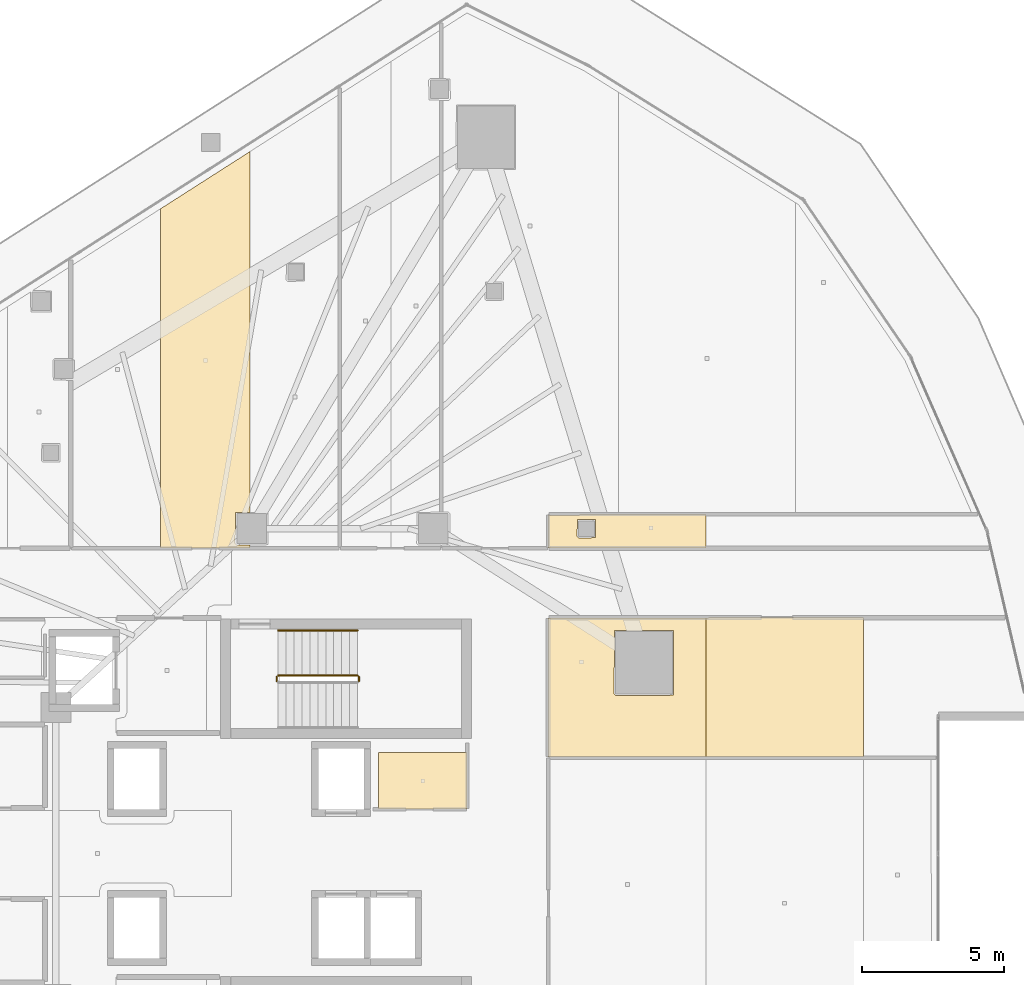
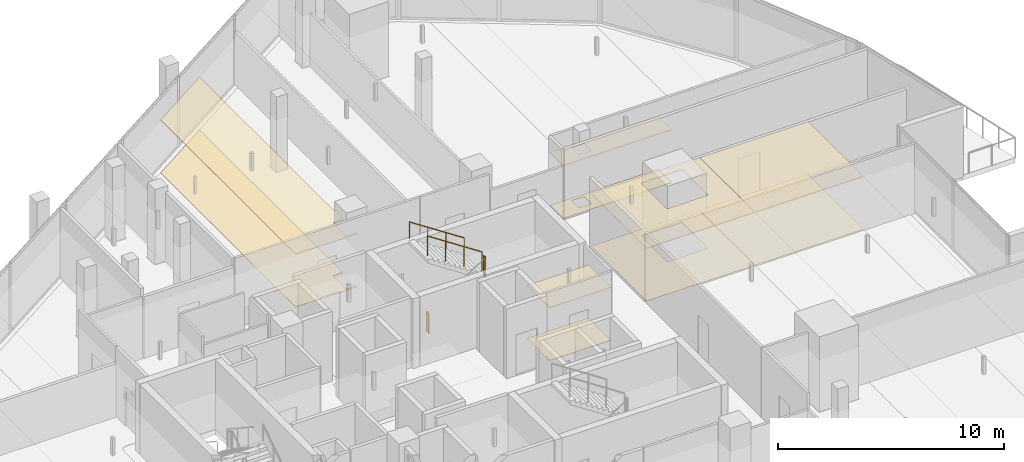
# One storey, part 37 of 38: 10 coverings, 4 railings.
"""IFC4 building model written with IfcOpenShell, lengths in metres."""

from ifc_helpers import new_model, si_unit, direction, frame, origin, origin_2d, place, context, subcontext, project, spatial, polyline, circle, outline, extrude, material, layer, layer_set, type_object, element, save


model = new_model("IFC4")

# Units and contexts
model_context = context("Model", 3, precision=1e-05, world=origin(), true_north=direction((0.0, 1.0)))
body_context = subcontext(model_context, "Body", "Model", "MODEL_VIEW")
ifc_project = project(units=[si_unit("LENGTHUNIT", "METRE"), si_unit("AREAUNIT", "SQUARE_METRE"), si_unit("VOLUMEUNIT", "CUBIC_METRE"), si_unit("PLANEANGLEUNIT", "RADIAN"), si_unit("MASSUNIT", "GRAM", prefix="KILO")], contexts=[model_context])

# Site, building, storey
site_placement = place(None, origin())
site = spatial("IfcSite", under=ifc_project, at=site_placement, CompositionType="ELEMENT")
building_placement = place(site_placement, origin())
building = spatial("IfcBuilding", under=site, at=building_placement, Name="Qorvath Tower", CompositionType="ELEMENT")
storey_placement = place(building_placement, frame((0.0, 0.0, 146.25)))
storey = spatial("IfcBuildingStorey", under=building, at=storey_placement, Name="L33", CompositionType="ELEMENT", Elevation=146.25)

# Coverings
ifc_material_1 = material(Name="Acoustic mineral fibre ceiling tile", Category="gypsum")
ifc_layer_1 = layer(ifc_material_1, 0.030029296875)
ifc_layer_set_1 = layer_set([ifc_layer_1], Name="COV-CEIL")
covering_type_1 = type_object("IfcCoveringType", Name="COV-CEIL", PredefinedType="CEILING", material=ifc_layer_set_1)
covering_1_placement = place(storey_placement, frame((0.0, 0.0, 2.85009765625)))
element("IfcCovering", 1, at=covering_1_placement, inside=storey, type_object=covering_type_1, Name="L33 Suspended Acoustic Ceiling 003", PredefinedType="CEILING", context=body_context, shape_type="SweptSolid", body=[
    extrude(outline(polyline([(-16.0048828125, 3.56005859375), (-19.139892578125, 3.56005859375), (-19.139892578125, 1.56494140625), (-16.0048828125, 1.56494140625), (-16.0048828125, 3.56005859375)])), origin(), (0.0, 0.0, 1.0), 0.030029296875),
])
covering_2_placement = place(storey_placement, frame((0.0, 0.0, 2.85009765625)))
element("IfcCovering", 2, at=covering_2_placement, inside=storey, type_object=covering_type_1, Name="L33 Suspended Acoustic Ceiling 014", PredefinedType="CEILING", context=body_context, shape_type="SweptSolid", body=[
    extrude(outline(polyline([(-23.658203125, 10.762939453125), (-23.658203125, 10.87255859375), (-24.125, 10.864990234375), (-24.18505859375, 10.925048828125), (-24.16748046875, 12.017333984375), (-23.658203125, 12.017333984375), (-23.658203125, 24.740478515625), (-26.81201171875, 22.72314453125), (-26.81201171875, 10.762939453125), (-23.658203125, 10.762939453125)])), origin(), (0.0, 0.0, 1.0), 0.030029296875),
])
covering_3_placement = place(storey_placement, frame((0.0, 0.0, 2.85009765625)))
element("IfcCovering", 3, at=covering_3_placement, inside=storey, type_object=covering_type_1, Name="L33 Suspended Acoustic Ceiling 035", PredefinedType="CEILING", context=body_context, shape_type="SweptSolid", body=[
    extrude(outline(polyline([(-7.589111328125, 3.395751953125), (-7.589111328125, 8.30908203125), (-13.136962890625, 8.306884765625), (-13.136962890625, 3.395751953125), (-7.589111328125, 3.395751953125)]), holes=[polyline([(-10.830322265625, 5.621337890625), (-10.812744140625, 7.86376953125), (-8.727783203125, 7.86376953125), (-8.727783203125, 5.578857421875), (-10.770263671875, 5.561279296875), (-10.830322265625, 5.621337890625)])]), origin(), (0.0, 0.0, 1.0), 0.030029296875),
])
covering_4_placement = place(storey_placement, frame((0.0, 0.0, 2.85009765625)))
element("IfcCovering", 4, at=covering_4_placement, inside=storey, type_object=covering_type_1, Name="L33 Suspended Acoustic Ceiling 036", PredefinedType="CEILING", context=body_context, shape_type="SweptSolid", body=[
    extrude(outline(polyline([(-7.589111328125, 10.762939453125), (-7.589111328125, 11.94287109375), (-13.136962890625, 11.938232421875), (-13.136962890625, 10.762939453125), (-7.589111328125, 10.762939453125)]), holes=[polyline([(-12.135009765625, 11.175048828125), (-12.117431640625, 11.767333984375), (-11.482666015625, 11.767333984375), (-11.482666015625, 11.132568359375), (-12.074951171875, 11.114990234375), (-12.135009765625, 11.175048828125)])]), origin(), (0.0, 0.0, 1.0), 0.030029296875),
])
covering_5_placement = place(storey_placement, frame((0.0, 0.0, 2.85009765625)))
element("IfcCovering", 5, at=covering_5_placement, inside=storey, type_object=covering_type_1, Name="L33 Suspended Acoustic Ceiling 037", PredefinedType="CEILING", context=body_context, shape_type="SweptSolid", body=[
    extrude(outline(polyline([(-2.041259765625, 3.395751953125), (-2.041259765625, 8.311279296875), (-7.589111328125, 8.30908203125), (-7.589111328125, 3.395751953125), (-2.041259765625, 3.395751953125)])), origin(), (0.0, 0.0, 1.0), 0.030029296875),
])
ifc_material_2 = material(Name="Low-VOC modular carpet tile", Category="textile")
ifc_layer_2 = layer(ifc_material_2, 0.014892578125)
ifc_layer_set_2 = layer_set([ifc_layer_2], Name="COV-FLOOR-CPT")
covering_type_2 = type_object("IfcCoveringType", Name="COV-FLOOR-CPT", PredefinedType="FLOORING", material=ifc_layer_set_2)
covering_6_placement = place(storey_placement, origin())
element("IfcCovering", 6, at=covering_6_placement, inside=storey, type_object=covering_type_2, Name="L33 Floor Finish 003", PredefinedType="FLOORING", context=body_context, shape_type="SweptSolid", body=[
    extrude(outline(polyline([(-16.0048828125, 3.56005859375), (-19.139892578125, 3.56005859375), (-19.139892578125, 1.56494140625), (-16.0048828125, 1.56494140625), (-16.0048828125, 3.56005859375)])), origin(), (0.0, 0.0, 1.0), 0.014892578125),
])
covering_7_placement = place(storey_placement, origin())
element("IfcCovering", 7, at=covering_7_placement, inside=storey, type_object=covering_type_2, Name="L33 Floor Finish 014", PredefinedType="FLOORING", context=body_context, shape_type="SweptSolid", body=[
    extrude(outline(polyline([(-23.658203125, 10.762939453125), (-23.658203125, 10.87255859375), (-24.125, 10.864990234375), (-24.18505859375, 10.925048828125), (-24.16748046875, 12.017333984375), (-23.658203125, 12.017333984375), (-23.658203125, 24.740478515625), (-26.81201171875, 22.72314453125), (-26.81201171875, 10.762939453125), (-23.658203125, 10.762939453125)])), origin(), (0.0, 0.0, 1.0), 0.014892578125),
])
covering_8_placement = place(storey_placement, origin())
element("IfcCovering", 8, at=covering_8_placement, inside=storey, type_object=covering_type_2, Name="L33 Floor Finish 035", PredefinedType="FLOORING", context=body_context, shape_type="SweptSolid", body=[
    extrude(outline(polyline([(-7.589111328125, 3.395751953125), (-7.589111328125, 8.30908203125), (-13.136962890625, 8.306884765625), (-13.136962890625, 3.395751953125), (-7.589111328125, 3.395751953125)]), holes=[polyline([(-10.830322265625, 5.621337890625), (-10.812744140625, 7.86376953125), (-8.727783203125, 7.86376953125), (-8.727783203125, 5.578857421875), (-10.770263671875, 5.561279296875), (-10.830322265625, 5.621337890625)])]), origin(), (0.0, 0.0, 1.0), 0.014892578125),
])
covering_9_placement = place(storey_placement, origin())
element("IfcCovering", 9, at=covering_9_placement, inside=storey, type_object=covering_type_2, Name="L33 Floor Finish 036", PredefinedType="FLOORING", context=body_context, shape_type="SweptSolid", body=[
    extrude(outline(polyline([(-7.589111328125, 10.762939453125), (-7.589111328125, 11.94287109375), (-13.136962890625, 11.938232421875), (-13.136962890625, 10.762939453125), (-7.589111328125, 10.762939453125)]), holes=[polyline([(-12.135009765625, 11.175048828125), (-12.117431640625, 11.767333984375), (-11.482666015625, 11.767333984375), (-11.482666015625, 11.132568359375), (-12.074951171875, 11.114990234375), (-12.135009765625, 11.175048828125)])]), origin(), (0.0, 0.0, 1.0), 0.014892578125),
])
covering_10_placement = place(storey_placement, origin())
element("IfcCovering", 10, at=covering_10_placement, inside=storey, type_object=covering_type_2, Name="L33 Floor Finish 037", PredefinedType="FLOORING", context=body_context, shape_type="SweptSolid", body=[
    extrude(outline(polyline([(-2.041259765625, 3.395751953125), (-2.041259765625, 8.311279296875), (-7.589111328125, 8.30908203125), (-7.589111328125, 3.395751953125), (-2.041259765625, 3.395751953125)])), origin(), (0.0, 0.0, 1.0), 0.014892578125),
])

# Railings
ifc_material_3 = material(Name="Painted galvanised steel", Category="steel")
railing_type_1 = type_object("IfcRailingType", Name="RL-STR-GRD", PredefinedType="GUARDRAIL", material=ifc_material_3)
railing_1_placement = place(storey_placement, frame((-19.820068359375, 6.080078125, 2.02490234375)))
element("IfcRailing", 11, at=railing_1_placement, inside=storey, type_object=railing_type_1, Name="L33 TS1 stair guard 2", PredefinedType="GUARDRAIL", context=body_context, shape_type="SweptSolid", body=[
    extrude(circle(Radius=0.02392578125, at=origin_2d()), frame((0.0, 0.0, 1.076171875), z_axis=(0.0, 1.0, 0.0), x_axis=(-1.0, 0.0, 0.0)), (0.0, 0.0, 1.0), 0.14990234375),
    extrude(circle(Radius=0.02099609375, at=origin_2d()), origin(), (0.0, 0.0, 1.0), 1.052001953125),
    extrude(circle(Radius=0.02099609375, at=origin_2d()), frame((0.0, 0.14990234375, 0.0)), (0.0, 0.0, 1.0), 1.052001953125),
])
railing_2_placement = place(storey_placement, frame((-19.8701171875, 6.280029296875, 2.208984375)))
element("IfcRailing", 12, at=railing_2_placement, inside=storey, type_object=railing_type_1, Name="L33 TS1 stair guard 3", PredefinedType="GUARDRAIL", context=body_context, shape_type="SweptSolid", body=[
    extrude(circle(Radius=0.02392578125, at=origin_2d()), frame((0.0, 0.0, 1.076171875), z_axis=(-0.835542071712, 0.0, 0.549426470421), x_axis=(0.0, -1.0, 0.0)), (0.0, 0.0, 1.0), 3.350830078125),
    extrude(circle(Radius=0.02099609375, at=origin_2d()), origin(), (0.0, 0.0, 1.0), 1.052001953125),
    extrude(circle(Radius=0.02099609375, at=origin_2d()), frame((-0.933349609375, 0.0, 0.61376953125)), (0.0, 0.0, 1.0), 1.052001953125),
    extrude(circle(Radius=0.02099609375, at=origin_2d()), frame((-1.866455078125, 0.0, 1.227294921875)), (0.0, 0.0, 1.0), 1.052001953125),
    extrude(circle(Radius=0.02099609375, at=origin_2d()), frame((-2.7998046875, 0.0, 1.841064453125)), (0.0, 0.0, 1.0), 1.052001953125),
])
railing_3_placement = place(storey_placement, frame((-22.719970703125, 6.080078125, 0.0)))
element("IfcRailing", 13, at=railing_3_placement, inside=storey, type_object=railing_type_1, Name="L33 TS1 stair guard 4", PredefinedType="GUARDRAIL", context=body_context, shape_type="SweptSolid", body=[
    extrude(circle(Radius=0.02392578125, at=origin_2d()), frame((0.0, 0.0, 1.076171875), z_axis=(0.0, 1.0, 0.0), x_axis=(-1.0, 0.0, 0.0)), (0.0, 0.0, 1.0), 0.14990234375),
    extrude(circle(Radius=0.02099609375, at=origin_2d()), origin(), (0.0, 0.0, 1.0), 1.052001953125),
    extrude(circle(Radius=0.02099609375, at=origin_2d()), frame((0.0, 0.14990234375, 0.0)), (0.0, 0.0, 1.0), 1.052001953125),
])
ifc_material_4 = material(Name="Brushed stainless steel AISI 304", Category="steel")
railing_type_2 = type_object("IfcRailingType", Name="RL-STR-HND", PredefinedType="HANDRAIL", material=ifc_material_4)
railing_4_placement = place(storey_placement, frame((-19.8701171875, 7.860107421875, 2.208984375)))
element("IfcRailing", 14, at=railing_4_placement, inside=storey, type_object=railing_type_2, Name="L33 TS1 stair handrail 2", PredefinedType="HANDRAIL", context=body_context, shape_type="SweptSolid", body=[
    extrude(circle(Radius=0.02392578125, at=origin_2d()), frame((0.0, 0.0, 0.8759765625), z_axis=(-0.835542071712, 0.0, 0.549426470421), x_axis=(0.0, -1.0, 0.0)), (0.0, 0.0, 1.0), 3.350830078125),
    extrude(circle(Radius=0.02099609375, at=origin_2d()), origin(), (0.0, 0.0, 1.0), 0.851806640625),
    extrude(circle(Radius=0.02099609375, at=origin_2d()), frame((-0.933349609375, 0.0, 0.61376953125)), (0.0, 0.0, 1.0), 0.851806640625),
    extrude(circle(Radius=0.02099609375, at=origin_2d()), frame((-1.866455078125, 0.0, 1.227294921875)), (0.0, 0.0, 1.0), 0.851806640625),
    extrude(circle(Radius=0.02099609375, at=origin_2d()), frame((-2.7998046875, 0.0, 1.841064453125)), (0.0, 0.0, 1.0), 0.851806640625),
])

save(model, "model.ifc")
